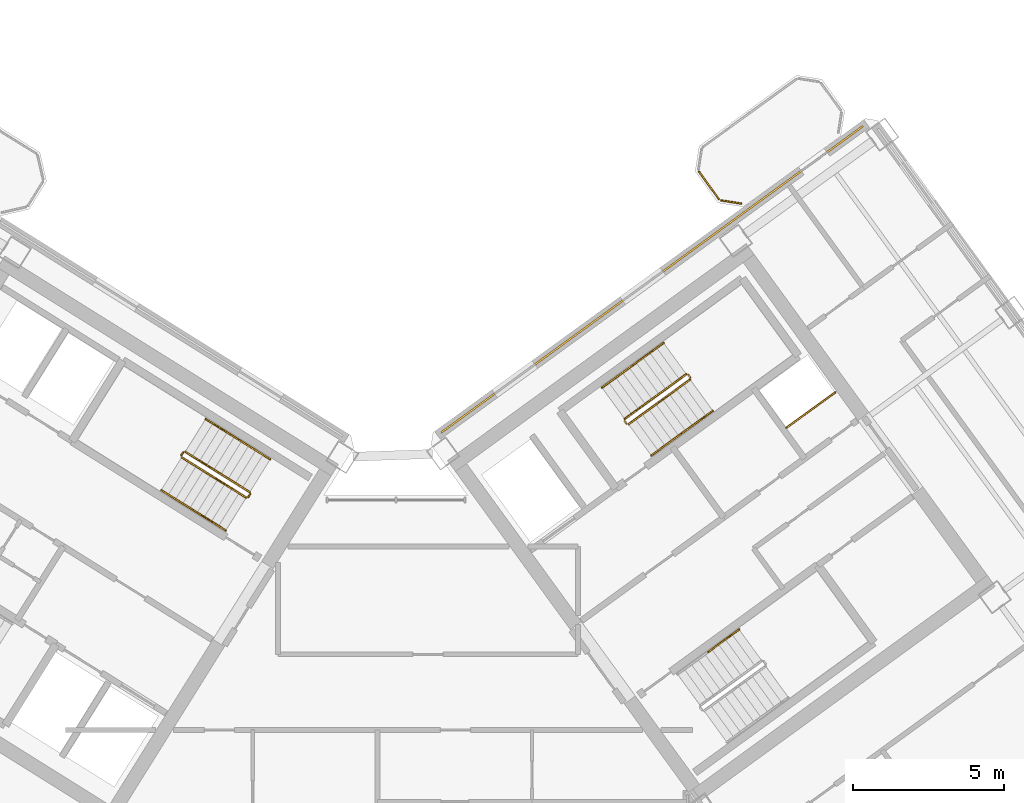
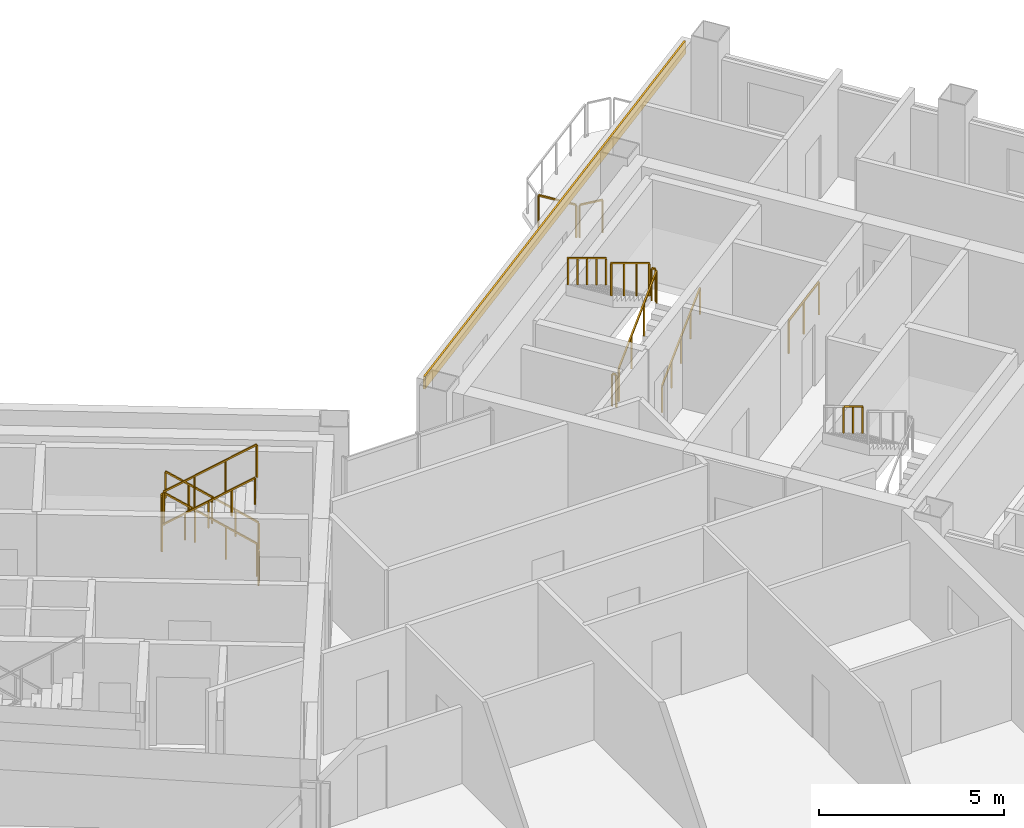
# One storey, part 28 of 29: 20 railings, 1 covering.
"""IFC4 building model written with IfcOpenShell, lengths in metres."""

import ifcopenshell
import ifcopenshell.guid

model = None  # the IFC model being written
_history = None  # IfcOwnerHistory: only IFC2X3 demands one
_inside = {}  # id of a spatial element -> (the spatial element, [elements in it])
_under = {}  # id of a project, library or spatial element -> (it, [spatial elements below it])
_declared = {}  # id of a project -> (the project, [libraries it declares])
_typed = {}  # id of a type object -> (the type object, [elements of that type])
_made_of = {}  # id of a material, layer set ... -> (it, [elements and type objects made of it])


def new_model(schema):
    """Start an empty IFC model of exactly this schema.

    Asked for "IFC4X3", IfcOpenShell would pick the latest addendum, in which some entities
    have other attributes; the version numbers below select the first issue.
    IFC2X3 requires an IfcOwnerHistory on every rooted entity: one is made here for all.
    """
    global model, _history
    if schema == "IFC4X3":
        model = ifcopenshell.file(schema_version=(4, 3, 0, 0))
    else:
        model = ifcopenshell.file(schema=schema)
    _inside.clear()
    _under.clear()
    _declared.clear()
    _typed.clear()
    _made_of.clear()
    _history = None
    if model.schema == "IFC2X3":
        org = make("IfcOrganization", Name="unknown")
        user = make(
            "IfcPersonAndOrganization",
            ThePerson=make("IfcPerson", FamilyName="unknown"),
            TheOrganization=org,
        )
        app = make(
            "IfcApplication",
            ApplicationDeveloper=org,
            Version="unknown",
            ApplicationFullName="unknown",
            ApplicationIdentifier="unknown",
        )
        _history = make(
            "IfcOwnerHistory",
            OwningUser=user,
            OwningApplication=app,
            ChangeAction="ADDED",
            CreationDate=0,
        )
    return model


def make(cls, **values):
    """One entity of the class cls with the attributes given. An attribute that is None is left unset."""
    return model.create_entity(
        cls, **{name: value for name, value in values.items() if value is not None}
    )


def rooted(cls, **values):
    """An entity with a GlobalId (a new one), such as an element, a storey or a relation."""
    return make(cls, GlobalId=ifcopenshell.guid.new(), OwnerHistory=_history, **values)


def si_unit(unit_type, name, prefix=None):
    """IfcSIUnit, for example si_unit("LENGTHUNIT", "METRE", prefix="MILLI")."""
    return make("IfcSIUnit", UnitType=unit_type, Prefix=prefix, Name=name)


def assignment(units):
    """IfcUnitAssignment: the units of a project."""
    return None if units is None else make("IfcUnitAssignment", Units=units)


def point(xyz):
    """IfcCartesianPoint."""
    return None if xyz is None else make("IfcCartesianPoint", Coordinates=xyz)


def direction(xyz):
    """IfcDirection."""
    return None if xyz is None else make("IfcDirection", DirectionRatios=xyz)


def frame(location, z_axis=None, x_axis=None):
    """IfcAxis2Placement3D, a coordinate frame: its origin and axes. An axis left out is left unset."""
    return make(
        "IfcAxis2Placement3D",
        Location=point(location),
        Axis=direction(z_axis),
        RefDirection=direction(x_axis),
    )


def frame_2d(location, x_axis=None):
    """IfcAxis2Placement2D, a coordinate frame in the plane: its origin and x axis."""
    return make(
        "IfcAxis2Placement2D", Location=point(location), RefDirection=direction(x_axis)
    )


def origin():
    """The frame at (0, 0, 0) with its axes left unset."""
    return frame((0.0, 0.0, 0.0))


def origin_2d():
    """The frame at (0, 0) in the plane with its x axis left unset."""
    return frame_2d((0.0, 0.0))


def place(relative_to, where):
    """IfcLocalPlacement: puts the frame where relative to a parent placement (None: the world)."""
    return make(
        "IfcLocalPlacement", PlacementRelTo=relative_to, RelativePlacement=where
    )


def context(
    kind, dimensions, precision=None, world=None, true_north=None, identifier=None
):
    """IfcGeometricRepresentationContext, for example the 3D "Model" context."""
    return make(
        "IfcGeometricRepresentationContext",
        ContextIdentifier=identifier,
        ContextType=kind,
        CoordinateSpaceDimension=dimensions,
        Precision=precision,
        WorldCoordinateSystem=world,
        TrueNorth=true_north,
    )


def subcontext(parent, identifier, kind, view, scale=None):
    """IfcGeometricRepresentationSubContext, for example "Body" below "Model"."""
    return make(
        "IfcGeometricRepresentationSubContext",
        ContextIdentifier=identifier,
        ContextType=kind,
        ParentContext=parent,
        TargetScale=scale,
        TargetView=view,
    )


def project(units=None, contexts=None):
    """IfcProject with its units and contexts."""
    return rooted(
        "IfcProject",
        Name="project",
        RepresentationContexts=contexts,
        UnitsInContext=assignment(units),
    )


def spatial(cls, under=None, at=None, **own):
    """A site, building, storey or space (cls), placed at a placement, below another one or the project."""
    s = rooted(cls, ObjectPlacement=at, **own)
    if under is not None:
        _under.setdefault(under.id(), (under, []))[1].append(s)
    return s


def profile(cls, at=None, kind="AREA", **sizes):
    """A parametric profile (cls). Its sizes go by their IFC names, for example OverallWidth=200.0."""
    return make(cls, ProfileType=kind, Position=at, **sizes)


def rectangle(**sizes):
    """IfcRectangleProfileDef."""
    return profile("IfcRectangleProfileDef", **sizes)


def extrude(swept, where, along, depth):
    """IfcExtrudedAreaSolid: the profile swept, set in the frame where, extruded along a direction by depth."""
    return make(
        "IfcExtrudedAreaSolid",
        SweptArea=swept,
        Position=where,
        ExtrudedDirection=direction(along),
        Depth=depth,
    )


def shape(context_of_items, identifier, shape_type, items):
    """IfcShapeRepresentation: the items that make up one representation, for example the "Body"."""
    return make(
        "IfcShapeRepresentation",
        ContextOfItems=context_of_items,
        RepresentationIdentifier=identifier,
        RepresentationType=shape_type,
        Items=items,
    )


def source(mapping_origin, context_of_items, identifier, shape_type, items):
    """IfcRepresentationMap: a shape defined once, which mapped items show again and again."""
    return make(
        "IfcRepresentationMap",
        MappingOrigin=mapping_origin,
        MappedRepresentation=shape(context_of_items, identifier, shape_type, items),
    )


def transform(
    local_origin,
    x_axis=None,
    y_axis=None,
    z_axis=None,
    scale=None,
    scale2=None,
    scale3=None,
    uniform=True,
):
    """IfcCartesianTransformationOperator3D, or its non-uniform kind. x_axis, y_axis, z_axis: its Axis1, 2, 3."""
    if uniform:
        return make(
            "IfcCartesianTransformationOperator3D",
            Axis1=direction(x_axis),
            Axis2=direction(y_axis),
            LocalOrigin=point(local_origin),
            Scale=scale,
            Axis3=direction(z_axis),
        )
    return make(
        "IfcCartesianTransformationOperator3DnonUniform",
        Axis1=direction(x_axis),
        Axis2=direction(y_axis),
        LocalOrigin=point(local_origin),
        Scale=scale,
        Axis3=direction(z_axis),
        Scale2=scale2,
        Scale3=scale3,
    )


def mapped(mapping_source, mapping_target):
    """IfcMappedItem: shows the shape of a source again, moved by a transform."""
    return make(
        "IfcMappedItem", MappingSource=mapping_source, MappingTarget=mapping_target
    )


def material(Name=None, Category=None):
    """IfcMaterial."""
    return make("IfcMaterial", Name=Name, Category=Category)


def layer(
    of_material, thickness, ventilated=None, Name=None, Category=None, Priority=None
):
    """IfcMaterialLayer: one layer of a wall or slab, of a material (None: an air gap)."""
    return make(
        "IfcMaterialLayer",
        Material=of_material,
        LayerThickness=thickness,
        IsVentilated=ventilated,
        Name=Name,
        Category=Category,
        Priority=Priority,
    )


def layer_set(layers, Name=None):
    """IfcMaterialLayerSet."""
    return make("IfcMaterialLayerSet", MaterialLayers=layers, LayerSetName=Name)


def made_of(thing, what):
    """Note that an element or type object is made of a material, layer set ...; save() writes the relation."""
    if what is not None:
        _made_of.setdefault(what.id(), (what, []))[1].append(thing)
    return thing


def type_object(cls, material=None, **own):
    """A type object (cls), such as IfcWallType, which elements share."""
    return made_of(rooted(cls, **own), material)


def element(
    cls,
    number,
    at=None,
    inside=None,
    cuts=None,
    type_object=None,
    material=None,
    context=None,
    identifier="Body",
    shape_type=None,
    held_by="IfcProductDefinitionShape",
    body=None,
    shapes=None,
    **own,
):
    """One element of the class cls, such as IfcWall. Its Tag is "e" and its number.

    at: its placement. inside: the storey or other place that contains it. cuts: it is an
    opening in that element (IfcRelVoidsElement). A single representation is given by context,
    identifier, shape_type and body (its items); several are given by shapes. held_by: the class
    of the entity that holds the representations. save() writes the other relations.
    """
    e = rooted(cls, Tag="e%d" % number, ObjectPlacement=at, **own)
    if body is not None:
        shapes = [shape(context, identifier, shape_type, body)]
    if shapes is not None:
        e.Representation = make(held_by, Representations=shapes)
    if inside is not None:
        _inside.setdefault(inside.id(), (inside, []))[1].append(e)
    if cuts is not None:
        rooted(
            "IfcRelVoidsElement", RelatingBuildingElement=cuts, RelatedOpeningElement=e
        )
    if type_object is not None:
        _typed.setdefault(type_object.id(), (type_object, []))[1].append(e)
    return made_of(e, material)


def aggregate(whole, parts):
    """IfcRelAggregates: a whole, such as a stair, and the parts it consists of."""
    return rooted("IfcRelAggregates", RelatingObject=whole, RelatedObjects=parts)


def save(model, path):
    """Write the relations noted so far, then the file.

    IfcRelAggregates (storeys below a building ...), IfcRelContainedInSpatialStructure (elements
    in a storey), IfcRelDefinesByType, IfcRelAssociatesMaterial and IfcRelDeclares: one each for
    every whole, place, type object, material and project.
    """
    for whole, parts in _under.values():
        aggregate(whole, parts)
    for where, things in _inside.values():
        rooted(
            "IfcRelContainedInSpatialStructure",
            RelatedElements=things,
            RelatingStructure=where,
        )
    for kind, things in _typed.values():
        rooted("IfcRelDefinesByType", RelatedObjects=things, RelatingType=kind)
    for what, things in _made_of.values():
        rooted("IfcRelAssociatesMaterial", RelatedObjects=things, RelatingMaterial=what)
    for by, libraries in _declared.values():
        rooted("IfcRelDeclares", RelatingContext=by, RelatedDefinitions=libraries)
    model.write(path)


model = new_model("IFC4")

# Units and contexts
model_context = context("Model", 3, precision=1e-05, world=origin(), true_north=direction((0.0, 1.0)))
body_context = subcontext(model_context, "Body", "Model", "MODEL_VIEW")
ifc_project = project(units=[si_unit("LENGTHUNIT", "METRE"), si_unit("AREAUNIT", "SQUARE_METRE"), si_unit("VOLUMEUNIT", "CUBIC_METRE"), si_unit("PLANEANGLEUNIT", "RADIAN"), si_unit("MASSUNIT", "GRAM", prefix="KILO")], contexts=[model_context])

# Site, building, storey
site_placement = place(None, origin())
site = spatial("IfcSite", under=ifc_project, at=site_placement, CompositionType="ELEMENT")
building_placement = place(site_placement, origin())
building = spatial("IfcBuilding", under=site, at=building_placement, Name="Tlacorven Tower", CompositionType="ELEMENT")
storey_placement = place(building_placement, frame((0.0, 0.0, 238.5)))
storey = spatial("IfcBuildingStorey", under=building, at=storey_placement, Name="L60", CompositionType="ELEMENT", Elevation=238.5)

# Railings
ifc_material_1 = material(Name="Aluminium and painted steel balustrade", Category="steel")
railing_type_1 = type_object("IfcRailingType", Name="RL-GRD-1100", PredefinedType="GUARDRAIL", material=ifc_material_1)
shared_shape_1 = source(origin(), body_context, "Body", "SweptSolid", [
    extrude(rectangle(XDim=0.048095703125, YDim=0.048095703125, at=origin_2d()), frame((0.0, 0.0, 1.076171875), z_axis=(0.808947177504, 0.587881334972, 0.0), x_axis=(-0.587881334972, 0.808947177504, 0.0)), (0.0, 0.0, 1.0), 2.0),
    extrude(rectangle(XDim=0.0419921875, YDim=0.0419921875, at=origin_2d()), origin(), (0.0, 0.0, 1.0), 1.052001953125),
    extrude(rectangle(XDim=0.0419921875, YDim=0.0419921875, at=origin_2d()), frame((0.80908203125, 0.587890625, 0.0)), (0.0, 0.0, 1.0), 1.052001953125),
    extrude(rectangle(XDim=0.0419921875, YDim=0.0419921875, at=origin_2d()), frame((1.617919921875, 1.17578125, 0.0)), (0.0, 0.0, 1.0), 1.052001953125),
])
railing_1_placement = place(storey_placement, frame((55.506103515625, 25.438232421875, 0.0)))
element("IfcRailing", 1, at=railing_1_placement, inside=storey, type_object=railing_type_1, Name="L60 Electrical Riser E Shaft Guard 1", PredefinedType="GUARDRAIL", context=body_context, shape_type="MappedRepresentation", body=[
    mapped(shared_shape_1, transform((0.0, 0.0, 0.0), scale=1.0)),
])
railing_type_2 = type_object("IfcRailingType", Name="RL-BAL-1100", PredefinedType="BALUSTRADE", material=ifc_material_1)
shared_shape_2 = source(origin(), body_context, "Body", "SweptSolid", [
    extrude(rectangle(XDim=0.048095703125, YDim=0.048095703125, at=origin_2d()), frame((0.0, 0.0, 1.076171875), z_axis=(-0.987718317463, 0.156245081039, 0.0), x_axis=(-0.156245081039, -0.987718317463, 0.0)), (0.0, 0.0, 1.0), 0.66552734375),
    extrude(rectangle(XDim=0.0419921875, YDim=0.0419921875, at=origin_2d()), origin(), (0.0, 0.0, 1.0), 1.052001953125),
    extrude(rectangle(XDim=0.0419921875, YDim=0.0419921875, at=origin_2d()), frame((-0.657470703125, 0.10400390625, 0.0)), (0.0, 0.0, 1.0), 1.052001953125),
])
railing_2_placement = place(storey_placement, frame((54.00341796875, 32.8759765625, 0.0)))
element("IfcRailing", 2, at=railing_2_placement, inside=storey, type_object=railing_type_2, Name="BAL-L60-E-IN Guard Railing 1", PredefinedType="BALUSTRADE", context=body_context, shape_type="MappedRepresentation", body=[
    mapped(shared_shape_2, transform((0.0, 0.0, 0.0), scale=1.0)),
])
shared_shape_3 = source(origin(), body_context, "Body", "SweptSolid", [
    extrude(rectangle(XDim=0.048095703125, YDim=0.048095703125, at=origin_2d()), frame((0.0, 0.0, 1.076171875), z_axis=(-0.587740817519, 0.809049276263, 0.0), x_axis=(-0.809049276263, -0.587740817519, 0.0)), (0.0, 0.0, 1.0), 1.112060546875),
    extrude(rectangle(XDim=0.0419921875, YDim=0.0419921875, at=origin_2d()), origin(), (0.0, 0.0, 1.0), 1.052001953125),
    extrude(rectangle(XDim=0.0419921875, YDim=0.0419921875, at=origin_2d()), frame((-0.653564453125, 0.899658203125, 0.0)), (0.0, 0.0, 1.0), 1.052001953125),
])
railing_3_placement = place(storey_placement, frame((53.26708984375, 33.0283203125, 0.0)))
element("IfcRailing", 3, at=railing_3_placement, inside=storey, type_object=railing_type_2, Name="BAL-L60-E-IN Guard Railing 2", PredefinedType="BALUSTRADE", context=body_context, shape_type="MappedRepresentation", body=[
    mapped(shared_shape_3, transform((0.0, 0.0, 0.0), scale=1.0)),
])

# Covering
ifc_material_2 = material(Name="Precast concrete C45/55", Category="concrete")
ifc_layer = layer(ifc_material_2, 0.06005859375)
ifc_layer_set = layer_set([ifc_layer], Name="Precast concrete C45/55")
covering_type = type_object("IfcCoveringType", Name="CV-CLD-TERC", PredefinedType="CLADDING", material=ifc_layer_set)
shared_shape_4 = source(origin(), body_context, "Body", "SweptSolid", [
    extrude(rectangle(XDim=17.287353515625, YDim=0.06005859375, at=origin_2d()), origin(), (0.0, 0.0, 1.0), 0.419921875),
])
covering_placement = place(storey_placement, frame((51.05224609375, 30.360595703125, 2.929931640625), z_axis=(0.0, 0.0, 1.0), x_axis=(0.809017097486, 0.587785110372, 0.0)))
element("IfcCovering", 4, at=covering_placement, inside=storey, type_object=covering_type, Name="L60 Masonry-Frame Spandrel Cladding 4", PredefinedType="CLADDING", context=body_context, shape_type="MappedRepresentation", body=[
    mapped(shared_shape_4, transform((0.0, 0.0, 0.0), scale=1.0)),
])

# Railings
shared_shape_5 = source(origin(), body_context, "Body", "SweptSolid", [
    extrude(rectangle(XDim=0.048095703125, YDim=0.048095703125, at=origin_2d()), frame((0.0, 0.0, 1.076171875), z_axis=(-0.713319727316, 0.445773895627, 0.540796265334), x_axis=(-0.529955395941, -0.84802551749, 0.0)), (0.0, 0.0, 1.0), 2.995849609375),
    extrude(rectangle(XDim=0.0419921875, YDim=0.0419921875, at=origin_2d()), origin(), (0.0, 0.0, 1.0), 1.052001953125),
    extrude(rectangle(XDim=0.0419921875, YDim=0.0419921875, at=origin_2d()), frame((-0.71240234375, 0.445068359375, 0.5400390625)), (0.0, 0.0, 1.0), 1.052001953125),
    extrude(rectangle(XDim=0.0419921875, YDim=0.0419921875, at=origin_2d()), frame((-1.424560546875, 0.890380859375, 1.080078125)), (0.0, 0.0, 1.0), 1.052001953125),
    extrude(rectangle(XDim=0.0419921875, YDim=0.0419921875, at=origin_2d()), frame((-2.136962890625, 1.33544921875, 1.6201171875)), (0.0, 0.0, 1.0), 1.052001953125),
])
railing_4_placement = place(storey_placement, frame((37.712158203125, 23.3095703125, 0.179931640625)))
element("IfcRailing", 5, at=railing_4_placement, inside=storey, type_object=railing_type_1, Name="L60 ST-W2 stair guard 1", PredefinedType="GUARDRAIL", context=body_context, shape_type="MappedRepresentation", body=[
    mapped(shared_shape_5, transform((0.0, 0.0, 0.0), scale=1.0)),
])
shared_shape_6 = source(origin(), body_context, "Body", "SweptSolid", [
    extrude(rectangle(XDim=0.048095703125, YDim=0.048095703125, at=origin_2d()), frame((0.0, 0.0, 1.076171875), z_axis=(-0.530546985787, -0.847655529016, 0.0), x_axis=(0.847655529016, -0.530546985787, 0.0)), (0.0, 0.0, 1.0), 0.1201171875),
    extrude(rectangle(XDim=0.0419921875, YDim=0.0419921875, at=origin_2d()), origin(), (0.0, 0.0, 1.0), 1.052001953125),
    extrude(rectangle(XDim=0.0419921875, YDim=0.0419921875, at=origin_2d()), frame((-0.063720703125, -0.101806640625, 0.0)), (0.0, 0.0, 1.0), 1.052001953125),
])
railing_5_placement = place(storey_placement, frame((37.728271484375, 23.24072265625, 0.0)))
element("IfcRailing", 6, at=railing_5_placement, inside=storey, type_object=railing_type_1, Name="L60 ST-W2 stair guard 4", PredefinedType="GUARDRAIL", context=body_context, shape_type="MappedRepresentation", body=[
    mapped(shared_shape_6, transform((0.0, 0.0, 0.0), scale=1.0)),
])
railing_type_3 = type_object("IfcRailingType", Name="RL-HND-0900", PredefinedType="HANDRAIL", material=ifc_material_1)
shared_shape_7 = source(origin(), body_context, "Body", "SweptSolid", [
    extrude(rectangle(XDim=0.048095703125, YDim=0.048095703125, at=origin_2d()), frame((0.0, 0.0, 0.8759765625), z_axis=(-0.713359751793, 0.4457479829, 0.540764828981), x_axis=(-0.529911857636, -0.848052724267, 0.0)), (0.0, 0.0, 1.0), 1.498046875),
    extrude(rectangle(XDim=0.0419921875, YDim=0.0419921875, at=origin_2d()), origin(), (0.0, 0.0, 1.0), 0.851806640625),
    extrude(rectangle(XDim=0.0419921875, YDim=0.0419921875, at=origin_2d()), frame((-0.5341796875, 0.333984375, 0.405029296875)), (0.0, 0.0, 1.0), 0.851806640625),
    extrude(rectangle(XDim=0.0419921875, YDim=0.0419921875, at=origin_2d()), frame((-1.068603515625, 0.667724609375, 0.81005859375)), (0.0, 0.0, 1.0), 0.851806640625),
])
for number, where, name in (
    (7, (38.390625, 24.39501953125, 0.179931640625), "L60 ST-W2 stair handrail 1"),
    (8, (37.322021484375, 25.062744140625, 0.989990234375), "L60 ST-W2 stair handrail 2"),
):
    element("IfcRailing", number, at=place(storey_placement, frame(where)), inside=storey, type_object=railing_type_3, Name=name, PredefinedType="HANDRAIL", context=body_context, shape_type="MappedRepresentation", body=[
        mapped(shared_shape_7, transform((0.0, 0.0, 0.0), scale=1.0)),
    ])
shared_shape_8 = source(origin(), body_context, "Body", "SweptSolid", [
    extrude(rectangle(XDim=0.048095703125, YDim=0.048095703125, at=origin_2d()), frame((0.0, 0.0, 0.8759765625), z_axis=(0.713359751793, -0.4457479829, 0.540764828981), x_axis=(0.529911857636, 0.848052724267, 0.0)), (0.0, 0.0, 1.0), 1.498046875),
    extrude(rectangle(XDim=0.0419921875, YDim=0.0419921875, at=origin_2d()), origin(), (0.0, 0.0, 1.0), 0.851806640625),
    extrude(rectangle(XDim=0.0419921875, YDim=0.0419921875, at=origin_2d()), frame((0.5341796875, -0.333984375, 0.405029296875)), (0.0, 0.0, 1.0), 0.851806640625),
    extrude(rectangle(XDim=0.0419921875, YDim=0.0419921875, at=origin_2d()), frame((1.068603515625, -0.667724609375, 0.81005859375)), (0.0, 0.0, 1.0), 0.851806640625),
])
for number, where, name in (
    (9, (34.7802734375, 23.372802734375, 1.97998046875), "L60 ST-W2 stair handrail 3"),
    (10, (35.848876953125, 22.705078125, 2.7900390625), "L60 ST-W2 stair handrail 4"),
):
    element("IfcRailing", number, at=place(storey_placement, frame(where)), inside=storey, type_object=railing_type_3, Name=name, PredefinedType="HANDRAIL", context=body_context, shape_type="MappedRepresentation", body=[
        mapped(shared_shape_8, transform((0.0, 0.0, 0.0), scale=1.0)),
    ])
shared_shape_9 = source(origin(), body_context, "Body", "SweptSolid", [
    extrude(rectangle(XDim=0.048095703125, YDim=0.048095703125, at=origin_2d()), frame((0.0, 0.0, 1.076171875), z_axis=(-0.531462422766, -0.847081869236, 0.0), x_axis=(0.847081869236, -0.531462422766, 0.0)), (0.0, 0.0, 1.0), 0.119873046875),
    extrude(rectangle(XDim=0.0419921875, YDim=0.0419921875, at=origin_2d()), origin(), (0.0, 0.0, 1.0), 1.052001953125),
    extrude(rectangle(XDim=0.0419921875, YDim=0.0419921875, at=origin_2d()), frame((-0.063720703125, -0.1015625, 0.0)), (0.0, 0.0, 1.0), 1.052001953125),
])
railing_6_placement = place(storey_placement, frame((35.50634765625, 24.62890625, 1.800048828125)))
element("IfcRailing", 11, at=railing_6_placement, inside=storey, type_object=railing_type_1, Name="L60 ST-W2 stair guard 2", PredefinedType="GUARDRAIL", context=body_context, shape_type="MappedRepresentation", body=[
    mapped(shared_shape_9, transform((0.0, 0.0, 0.0), scale=1.0)),
])
shared_shape_10 = source(origin(), body_context, "Body", "SweptSolid", [
    extrude(rectangle(XDim=0.048095703125, YDim=0.048095703125, at=origin_2d()), frame((0.0, 0.0, 1.076171875), z_axis=(0.713385662783, -0.445682681033, 0.540784470897), x_axis=(0.52984217967, 0.848096259066, 0.0)), (0.0, 0.0, 1.0), 2.995849609375),
    extrude(rectangle(XDim=0.0419921875, YDim=0.0419921875, at=origin_2d()), origin(), (0.0, 0.0, 1.0), 1.052001953125),
    extrude(rectangle(XDim=0.0419921875, YDim=0.0419921875, at=origin_2d()), frame((0.71240234375, -0.445068359375, 0.5400390625)), (0.0, 0.0, 1.0), 1.052001953125),
    extrude(rectangle(XDim=0.0419921875, YDim=0.0419921875, at=origin_2d()), frame((1.4248046875, -0.89013671875, 1.080078125)), (0.0, 0.0, 1.0), 1.052001953125),
    extrude(rectangle(XDim=0.0419921875, YDim=0.0419921875, at=origin_2d()), frame((2.13720703125, -1.335205078125, 1.6201171875)), (0.0, 0.0, 1.0), 1.052001953125),
])
railing_7_placement = place(storey_placement, frame((35.45849609375, 24.458251953125, 1.97998046875)))
element("IfcRailing", 12, at=railing_7_placement, inside=storey, type_object=railing_type_1, Name="L60 ST-W2 stair guard 3", PredefinedType="GUARDRAIL", context=body_context, shape_type="MappedRepresentation", body=[
    mapped(shared_shape_10, transform((0.0, 0.0, 0.0), scale=1.0)),
])
shared_shape_11 = source(origin(), body_context, "Body", "SweptSolid", [
    extrude(rectangle(XDim=0.048095703125, YDim=0.048095703125, at=origin_2d()), frame((0.0, 0.0, 1.076171875), z_axis=(-0.587201422542, 0.809440849824, 0.0), x_axis=(-0.809440849824, -0.587201422542, 0.0)), (0.0, 0.0, 1.0), 0.11962890625),
    extrude(rectangle(XDim=0.0419921875, YDim=0.0419921875, at=origin_2d()), origin(), (0.0, 0.0, 1.0), 1.052001953125),
    extrude(rectangle(XDim=0.0419921875, YDim=0.0419921875, at=origin_2d()), frame((-0.0703125, 0.096923828125, 0.0)), (0.0, 0.0, 1.0), 1.052001953125),
])
for number, where, name in (
    (13, (52.326904296875, 27.10888671875, 1.800048828125), "L60 ST-E1 stair guard 2"),
    (14, (50.207275390625, 25.56884765625, 0.0), "L60 ST-E1 stair guard 4"),
):
    element("IfcRailing", number, at=place(storey_placement, frame(where)), inside=storey, type_object=railing_type_1, Name=name, PredefinedType="GUARDRAIL", context=body_context, shape_type="MappedRepresentation", body=[
        mapped(shared_shape_11, transform((0.0, 0.0, 0.0), scale=1.0)),
    ])
shared_shape_12 = source(origin(), body_context, "Body", "SweptSolid", [
    extrude(rectangle(XDim=0.048095703125, YDim=0.048095703125, at=origin_2d()), frame((0.0, 0.0, 1.076171875), z_axis=(0.680488636597, 0.494434078831, 0.540805100894), x_axis=(-0.5878087079, 0.808999952359, 0.0)), (0.0, 0.0, 1.0), 2.995849609375),
    extrude(rectangle(XDim=0.0419921875, YDim=0.0419921875, at=origin_2d()), origin(), (0.0, 0.0, 1.0), 1.052001953125),
    extrude(rectangle(XDim=0.0419921875, YDim=0.0419921875, at=origin_2d()), frame((0.679443359375, 0.49365234375, 0.5400390625)), (0.0, 0.0, 1.0), 1.052001953125),
    extrude(rectangle(XDim=0.0419921875, YDim=0.0419921875, at=origin_2d()), frame((1.359130859375, 0.987548828125, 1.080078125)), (0.0, 0.0, 1.0), 1.052001953125),
    extrude(rectangle(XDim=0.0419921875, YDim=0.0419921875, at=origin_2d()), frame((2.03857421875, 1.481201171875, 1.6201171875)), (0.0, 0.0, 1.0), 1.052001953125),
])
railing_8_placement = place(storey_placement, frame((50.27734375, 25.557861328125, 0.179931640625)))
element("IfcRailing", 15, at=railing_8_placement, inside=storey, type_object=railing_type_1, Name="L60 ST-E1 stair guard 1", PredefinedType="GUARDRAIL", context=body_context, shape_type="MappedRepresentation", body=[
    mapped(shared_shape_12, transform((0.0, 0.0, 0.0), scale=1.0)),
])
shared_shape_13 = source(origin(), body_context, "Body", "SweptSolid", [
    extrude(rectangle(XDim=0.048095703125, YDim=0.048095703125, at=origin_2d()), frame((0.0, 0.0, 1.076171875), z_axis=(-0.680488636597, -0.494434078831, 0.540805100894), x_axis=(0.5878087079, -0.808999952359, 0.0)), (0.0, 0.0, 1.0), 2.995849609375),
    extrude(rectangle(XDim=0.0419921875, YDim=0.0419921875, at=origin_2d()), origin(), (0.0, 0.0, 1.0), 1.052001953125),
    extrude(rectangle(XDim=0.0419921875, YDim=0.0419921875, at=origin_2d()), frame((-0.679443359375, -0.49365234375, 0.5400390625)), (0.0, 0.0, 1.0), 1.052001953125),
    extrude(rectangle(XDim=0.0419921875, YDim=0.0419921875, at=origin_2d()), frame((-1.359130859375, -0.987548828125, 1.080078125)), (0.0, 0.0, 1.0), 1.052001953125),
    extrude(rectangle(XDim=0.0419921875, YDim=0.0419921875, at=origin_2d()), frame((-2.03857421875, -1.481201171875, 1.6201171875)), (0.0, 0.0, 1.0), 1.052001953125),
])
railing_9_placement = place(storey_placement, frame((52.1865234375, 27.217041015625, 1.97998046875)))
element("IfcRailing", 16, at=railing_9_placement, inside=storey, type_object=railing_type_1, Name="L60 ST-E1 stair guard 3", PredefinedType="GUARDRAIL", context=body_context, shape_type="MappedRepresentation", body=[
    mapped(shared_shape_13, transform((0.0, 0.0, 0.0), scale=1.0)),
])
shared_shape_14 = source(origin(), body_context, "Body", "SweptSolid", [
    extrude(rectangle(XDim=0.048095703125, YDim=0.048095703125, at=origin_2d()), frame((0.0, 0.0, 0.8759765625), z_axis=(0.680516055757, 0.494372502302, 0.540826891737), x_axis=(-0.587745292299, 0.809046025502, 0.0)), (0.0, 0.0, 1.0), 1.497802734375),
    extrude(rectangle(XDim=0.0419921875, YDim=0.0419921875, at=origin_2d()), origin(), (0.0, 0.0, 1.0), 0.851806640625),
    extrude(rectangle(XDim=0.0419921875, YDim=0.0419921875, at=origin_2d()), frame((0.509765625, 0.3701171875, 0.405029296875)), (0.0, 0.0, 1.0), 0.851806640625),
    extrude(rectangle(XDim=0.0419921875, YDim=0.0419921875, at=origin_2d()), frame((1.019287109375, 0.740478515625, 0.81005859375)), (0.0, 0.0, 1.0), 0.851806640625),
])
railing_10_placement = place(storey_placement, frame((51.029541015625, 24.522216796875, 0.179931640625)))
element("IfcRailing", 17, at=railing_10_placement, inside=storey, type_object=railing_type_3, Name="L60 ST-E1 stair handrail 1", PredefinedType="HANDRAIL", context=body_context, shape_type="MappedRepresentation", body=[
    mapped(shared_shape_14, transform((0.0, 0.0, 0.0), scale=1.0)),
])
shared_shape_15 = source(origin(), body_context, "Body", "SweptSolid", [
    extrude(rectangle(XDim=0.048095703125, YDim=0.048095703125, at=origin_2d()), frame((0.0, 0.0, 0.8759765625), z_axis=(0.680548719995, 0.49444080854, 0.540723336433), x_axis=(-0.587779977844, 0.80902082646, 0.0)), (0.0, 0.0, 1.0), 1.498046875),
    extrude(rectangle(XDim=0.0419921875, YDim=0.0419921875, at=origin_2d()), origin(), (0.0, 0.0, 1.0), 0.851806640625),
    extrude(rectangle(XDim=0.0419921875, YDim=0.0419921875, at=origin_2d()), frame((0.509765625, 0.370361328125, 0.405029296875)), (0.0, 0.0, 1.0), 0.851806640625),
    extrude(rectangle(XDim=0.0419921875, YDim=0.0419921875, at=origin_2d()), frame((1.01953125, 0.74072265625, 0.81005859375)), (0.0, 0.0, 1.0), 0.851806640625),
])
railing_11_placement = place(storey_placement, frame((52.048828125, 25.2626953125, 0.989990234375)))
element("IfcRailing", 18, at=railing_11_placement, inside=storey, type_object=railing_type_3, Name="L60 ST-E1 stair handrail 2", PredefinedType="HANDRAIL", context=body_context, shape_type="MappedRepresentation", body=[
    mapped(shared_shape_15, transform((0.0, 0.0, 0.0), scale=1.0)),
])
shared_shape_16 = source(origin(), body_context, "Body", "SweptSolid", [
    extrude(rectangle(XDim=0.048095703125, YDim=0.048095703125, at=origin_2d()), frame((0.0, 0.0, 0.8759765625), z_axis=(-0.680603554404, -0.494317667746, 0.540766904577), x_axis=(0.587653156371, -0.809112951205, 0.0)), (0.0, 0.0, 1.0), 1.498046875),
    extrude(rectangle(XDim=0.0419921875, YDim=0.0419921875, at=origin_2d()), origin(), (0.0, 0.0, 1.0), 0.851806640625),
    extrude(rectangle(XDim=0.0419921875, YDim=0.0419921875, at=origin_2d()), frame((-0.509765625, -0.3701171875, 0.405029296875)), (0.0, 0.0, 1.0), 0.851806640625),
    extrude(rectangle(XDim=0.0419921875, YDim=0.0419921875, at=origin_2d()), frame((-1.01953125, -0.740478515625, 0.81005859375)), (0.0, 0.0, 1.0), 0.851806640625),
])
railing_12_placement = place(storey_placement, frame((51.434326171875, 28.25244140625, 1.97998046875)))
element("IfcRailing", 19, at=railing_12_placement, inside=storey, type_object=railing_type_3, Name="L60 ST-E1 stair handrail 3", PredefinedType="HANDRAIL", context=body_context, shape_type="MappedRepresentation", body=[
    mapped(shared_shape_16, transform((0.0, 0.0, 0.0), scale=1.0)),
])
shared_shape_17 = source(origin(), body_context, "Body", "SweptSolid", [
    extrude(rectangle(XDim=0.048095703125, YDim=0.048095703125, at=origin_2d()), frame((0.0, 0.0, 0.8759765625), z_axis=(-0.680461216233, -0.494495647917, 0.540783309093), x_axis=(0.587872112667, -0.808953879494, 0.0)), (0.0, 0.0, 1.0), 1.498046875),
    extrude(rectangle(XDim=0.0419921875, YDim=0.0419921875, at=origin_2d()), origin(), (0.0, 0.0, 1.0), 0.851806640625),
    extrude(rectangle(XDim=0.0419921875, YDim=0.0419921875, at=origin_2d()), frame((-0.509765625, -0.370361328125, 0.405029296875)), (0.0, 0.0, 1.0), 0.851806640625),
    extrude(rectangle(XDim=0.0419921875, YDim=0.0419921875, at=origin_2d()), frame((-1.019287109375, -0.74072265625, 0.81005859375)), (0.0, 0.0, 1.0), 0.851806640625),
])
railing_13_placement = place(storey_placement, frame((50.414794921875, 27.511962890625, 2.7900390625)))
element("IfcRailing", 20, at=railing_13_placement, inside=storey, type_object=railing_type_3, Name="L60 ST-E1 stair handrail 4", PredefinedType="HANDRAIL", context=body_context, shape_type="MappedRepresentation", body=[
    mapped(shared_shape_17, transform((0.0, 0.0, 0.0), scale=1.0)),
])
shared_shape_18 = source(origin(), body_context, "Body", "SweptSolid", [
    extrude(rectangle(XDim=0.048095703125, YDim=0.048095703125, at=origin_2d()), frame((0.0, 0.0, 0.8759765625), z_axis=(-0.680516055757, -0.494372502302, 0.540826891737), x_axis=(0.587745292299, -0.809046025502, 0.0)), (0.0, 0.0, 1.0), 1.497802734375),
    extrude(rectangle(XDim=0.0419921875, YDim=0.0419921875, at=origin_2d()), origin(), (0.0, 0.0, 1.0), 0.851806640625),
    extrude(rectangle(XDim=0.0419921875, YDim=0.0419921875, at=origin_2d()), frame((-0.509765625, -0.3701171875, 0.405029296875)), (0.0, 0.0, 1.0), 0.851806640625),
    extrude(rectangle(XDim=0.0419921875, YDim=0.0419921875, at=origin_2d()), frame((-1.019287109375, -0.740478515625, 0.81005859375)), (0.0, 0.0, 1.0), 0.851806640625),
])
railing_14_placement = place(storey_placement, frame((53.938232421875, 18.749267578125, 1.97998046875)))
element("IfcRailing", 21, at=railing_14_placement, inside=storey, type_object=railing_type_3, Name="L60 ST-E2 stair handrail 3", PredefinedType="HANDRAIL", context=body_context, shape_type="MappedRepresentation", body=[
    mapped(shared_shape_18, transform((0.0, 0.0, 0.0), scale=1.0)),
])

save(model, "model.ifc")
